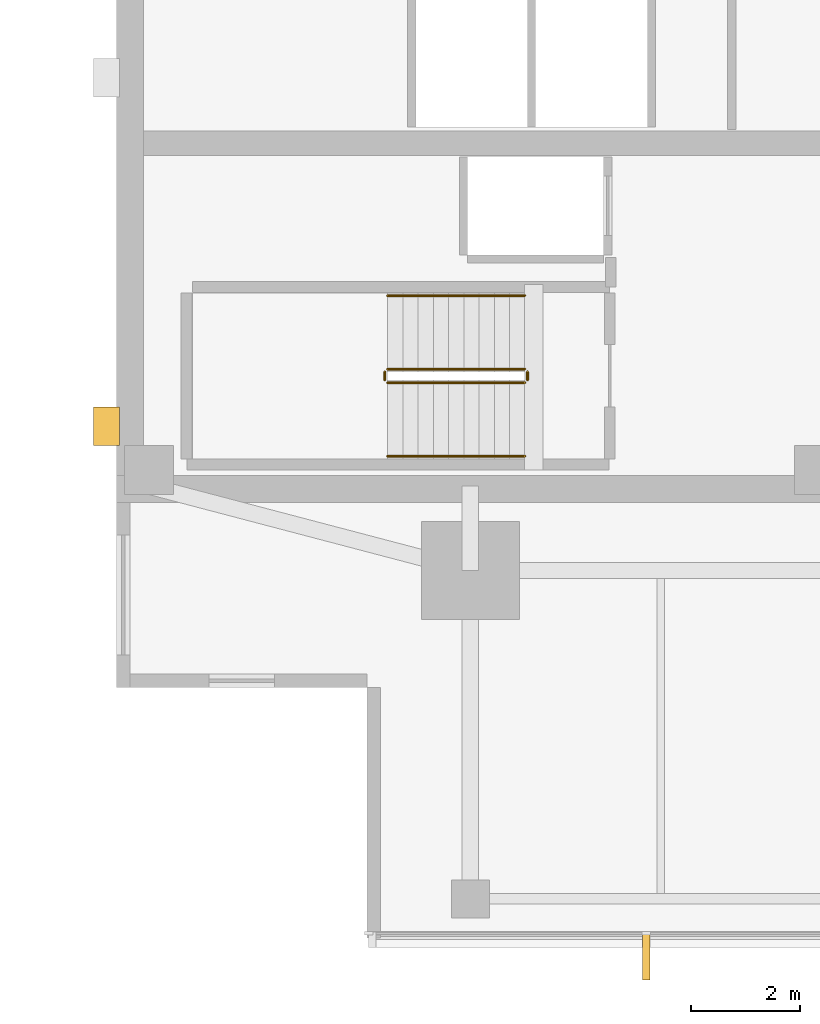
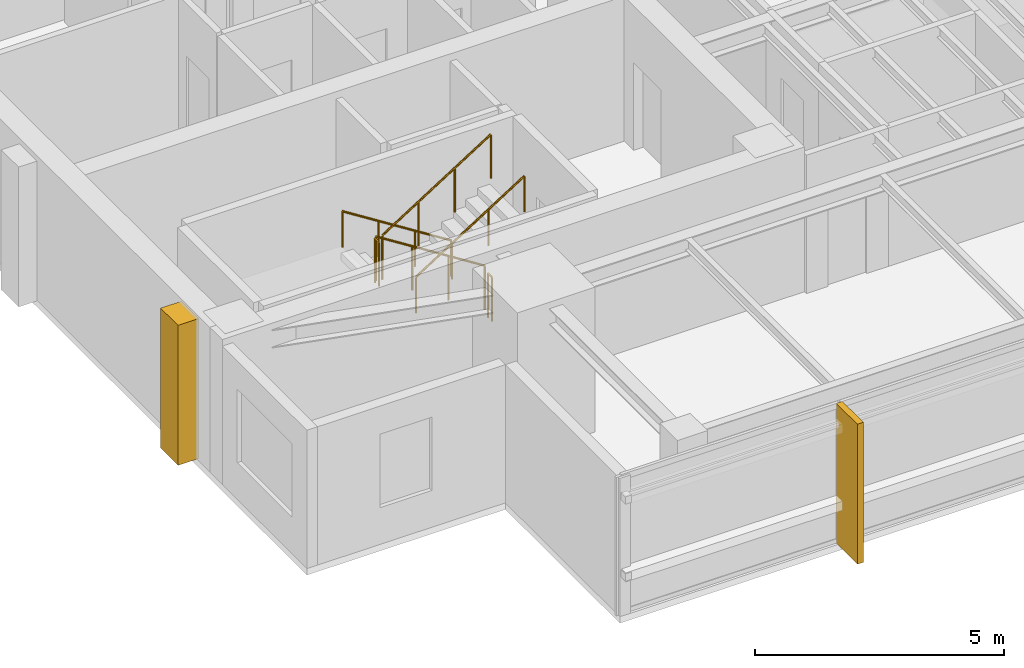
# One storey, part 11 of 14: 6 railings, 2 coverings.
"""IFC4 building model written with IfcOpenShell, lengths in metres."""

from ifc_helpers import new_model, si_unit, direction, frame, origin, origin_2d, place, context, subcontext, project, spatial, polyline, circle, outline, extrude, material, layer, layer_set, type_object, element, save


model = new_model("IFC4")

# Units and contexts
model_context = context("Model", 3, precision=1e-05, world=origin(), true_north=direction((0.0, 1.0)))
body_context = subcontext(model_context, "Body", "Model", "MODEL_VIEW")
ifc_project = project(units=[si_unit("LENGTHUNIT", "METRE"), si_unit("AREAUNIT", "SQUARE_METRE"), si_unit("VOLUMEUNIT", "CUBIC_METRE"), si_unit("PLANEANGLEUNIT", "RADIAN"), si_unit("MASSUNIT", "GRAM", prefix="KILO")], contexts=[model_context])

# Site, building, storey
site_placement = place(None, origin())
site = spatial("IfcSite", under=ifc_project, at=site_placement, CompositionType="ELEMENT")
building_placement = place(site_placement, origin())
building = spatial("IfcBuilding", under=site, at=building_placement, Name="Kinhvarn Gate Tower", CompositionType="ELEMENT")
storey_placement = place(building_placement, frame((0.0, 0.0, 267.0)))
storey = spatial("IfcBuildingStorey", under=building, at=storey_placement, Name="L71", CompositionType="ELEMENT", Elevation=267.0)

# Coverings
ifc_material_1 = material(Name="Fired architectural terracotta", Category="masonry")
ifc_layer_1 = layer(ifc_material_1, 0.139892578125)
ifc_layer_set_1 = layer_set([ifc_layer_1], Name="Fired architectural terracotta")
covering_type_1 = type_object("IfcCoveringType", Name="COV-FIN-850", PredefinedType="CLADDING", material=ifc_layer_set_1)
covering_1_placement = place(storey_placement, frame((0.0, 0.0, -0.02001953125)))
element("IfcCovering", 1, at=covering_1_placement, inside=storey, type_object=covering_type_1, Name="Vertical Terracotta Expressive Fin TFN-850 (L71)", PredefinedType="CLADDING", context=body_context, shape_type="SweptSolid", body=[
    extrude(outline(polyline([(14.163330078125, 6.080078125), (14.30322265625, 6.080078125), (14.30322265625, 5.22998046875), (14.163330078125, 5.22998046875), (14.163330078125, 6.080078125)])), origin(), (0.0, 0.0, 1.0), 3.429931640625),
])
ifc_material_2 = material(Name="Precast white architectural concrete C40/50", Category="concrete")
ifc_layer_2 = layer(ifc_material_2, 0.47998046875)
ifc_layer_set_2 = layer_set([ifc_layer_2], Name="Precast white architectural concrete C40/50")
covering_type_2 = type_object("IfcCoveringType", Name="COV-RIB-450", PredefinedType="CLADDING", material=ifc_layer_set_2)
covering_2_placement = place(storey_placement, frame((0.0, 0.0, -0.02001953125)))
element("IfcCovering", 2, at=covering_2_placement, inside=storey, type_object=covering_type_2, Name="West Core Sculptural Concrete Relief Rib CRB-450 (L71)", PredefinedType="CLADDING", context=body_context, shape_type="SweptSolid", body=[
    extrude(outline(polyline([(4.080078125, 15.050048828125), (4.56005859375, 15.050048828125), (4.56005859375, 15.75), (4.080078125, 15.75), (4.080078125, 15.050048828125)])), origin(), (0.0, 0.0, 1.0), 3.429931640625),
])

# Railings
ifc_material_3 = material(Name="Steel S355", Category="steel")
railing_type_1 = type_object("IfcRailingType", Name="RL-ST-GRD", PredefinedType="BALUSTRADE", material=ifc_material_3)
railing_1_placement = place(storey_placement, frame((12.0, 16.449951171875, 0.177490234375)))
element("IfcRailing", 3, at=railing_1_placement, inside=storey, type_object=railing_type_1, Name="L71 ST1 stair guard 1", PredefinedType="BALUSTRADE", context=body_context, shape_type="SweptSolid", body=[
    extrude(circle(Radius=0.02392578125, at=origin_2d()), frame((0.0, 0.0, 1.076171875), z_axis=(-0.84460694969, 0.0, 0.535386869969), x_axis=(0.0, -1.0, 0.0)), (0.0, 0.0, 1.0), 2.983642578125),
    extrude(circle(Radius=0.02099609375, at=origin_2d()), origin(), (0.0, 0.0, 1.0), 1.052001953125),
    extrude(circle(Radius=0.02099609375, at=origin_2d()), frame((-0.840087890625, 0.0, 0.532470703125)), (0.0, 0.0, 1.0), 1.052001953125),
    extrude(circle(Radius=0.02099609375, at=origin_2d()), frame((-1.679931640625, 0.0, 1.06494140625)), (0.0, 0.0, 1.0), 1.052001953125),
    extrude(circle(Radius=0.02099609375, at=origin_2d()), frame((-2.52001953125, 0.0, 1.597412109375)), (0.0, 0.0, 1.0), 1.052001953125),
])
railing_2_placement = place(storey_placement, frame((9.429931640625, 16.39990234375, 1.77490234375)))
element("IfcRailing", 4, at=railing_2_placement, inside=storey, type_object=railing_type_1, Name="L71 ST1 stair guard 2", PredefinedType="BALUSTRADE", context=body_context, shape_type="SweptSolid", body=[
    extrude(circle(Radius=0.02392578125, at=origin_2d()), frame((0.0, 0.0, 1.076171875), z_axis=(0.0, -1.0, 0.0), x_axis=(1.0, 0.0, 0.0)), (0.0, 0.0, 1.0), 0.14990234375),
    extrude(circle(Radius=0.02099609375, at=origin_2d()), origin(), (0.0, 0.0, 1.0), 1.052001953125),
    extrude(circle(Radius=0.02099609375, at=origin_2d()), frame((0.0, -0.14990234375, 0.0)), (0.0, 0.0, 1.0), 1.052001953125),
])
railing_3_placement = place(storey_placement, frame((9.47998046875, 16.199951171875, 1.952392578125)))
element("IfcRailing", 5, at=railing_3_placement, inside=storey, type_object=railing_type_1, Name="L71 ST1 stair guard 3", PredefinedType="BALUSTRADE", context=body_context, shape_type="SweptSolid", body=[
    extrude(circle(Radius=0.02392578125, at=origin_2d()), frame((0.0, 0.0, 1.076171875), z_axis=(0.84456994832, 0.0, 0.535445237532), x_axis=(0.0, 1.0, 0.0)), (0.0, 0.0, 1.0), 2.98388671875),
    extrude(circle(Radius=0.02099609375, at=origin_2d()), origin(), (0.0, 0.0, 1.0), 1.052001953125),
    extrude(circle(Radius=0.02099609375, at=origin_2d()), frame((0.840087890625, 0.0, 0.532470703125)), (0.0, 0.0, 1.0), 1.052001953125),
    extrude(circle(Radius=0.02099609375, at=origin_2d()), frame((1.679931640625, 0.0, 1.065185546875)), (0.0, 0.0, 1.0), 1.052001953125),
    extrude(circle(Radius=0.02099609375, at=origin_2d()), frame((2.52001953125, 0.0, 1.59765625)), (0.0, 0.0, 1.0), 1.052001953125),
])
railing_4_placement = place(storey_placement, frame((12.050048828125, 16.39990234375, 0.0)))
element("IfcRailing", 6, at=railing_4_placement, inside=storey, type_object=railing_type_1, Name="L71 ST1 stair guard 4", PredefinedType="BALUSTRADE", context=body_context, shape_type="SweptSolid", body=[
    extrude(circle(Radius=0.02392578125, at=origin_2d()), frame((0.0, 0.0, 1.076171875), z_axis=(0.0, -1.0, 0.0), x_axis=(1.0, 0.0, 0.0)), (0.0, 0.0, 1.0), 0.14990234375),
    extrude(circle(Radius=0.02099609375, at=origin_2d()), origin(), (0.0, 0.0, 1.0), 1.052001953125),
    extrude(circle(Radius=0.02099609375, at=origin_2d()), frame((0.0, -0.14990234375, 0.0)), (0.0, 0.0, 1.0), 1.052001953125),
])
railing_type_2 = type_object("IfcRailingType", Name="RL-ST-HND", PredefinedType="HANDRAIL", material=ifc_material_3)
railing_5_placement = place(storey_placement, frame((12.0, 17.800048828125, 0.177490234375)))
element("IfcRailing", 7, at=railing_5_placement, inside=storey, type_object=railing_type_2, Name="L71 ST1 stair handrail 1", PredefinedType="HANDRAIL", context=body_context, shape_type="SweptSolid", body=[
    extrude(circle(Radius=0.02392578125, at=origin_2d()), frame((0.0, 0.0, 0.8759765625), z_axis=(-0.84460694969, 0.0, 0.535386869969), x_axis=(0.0, -1.0, 0.0)), (0.0, 0.0, 1.0), 2.983642578125),
    extrude(circle(Radius=0.02099609375, at=origin_2d()), origin(), (0.0, 0.0, 1.0), 0.851806640625),
    extrude(circle(Radius=0.02099609375, at=origin_2d()), frame((-0.840087890625, 0.0, 0.532470703125)), (0.0, 0.0, 1.0), 0.851806640625),
    extrude(circle(Radius=0.02099609375, at=origin_2d()), frame((-1.679931640625, 0.0, 1.06494140625)), (0.0, 0.0, 1.0), 0.851806640625),
    extrude(circle(Radius=0.02099609375, at=origin_2d()), frame((-2.52001953125, 0.0, 1.597412109375)), (0.0, 0.0, 1.0), 0.851806640625),
])
railing_6_placement = place(storey_placement, frame((9.47998046875, 14.85009765625, 1.952392578125)))
element("IfcRailing", 8, at=railing_6_placement, inside=storey, type_object=railing_type_2, Name="L71 ST1 stair handrail 2", PredefinedType="HANDRAIL", context=body_context, shape_type="SweptSolid", body=[
    extrude(circle(Radius=0.02392578125, at=origin_2d()), frame((0.0, 0.0, 0.8759765625), z_axis=(0.84456994832, 0.0, 0.535445237532), x_axis=(0.0, 1.0, 0.0)), (0.0, 0.0, 1.0), 2.98388671875),
    extrude(circle(Radius=0.02099609375, at=origin_2d()), origin(), (0.0, 0.0, 1.0), 0.851806640625),
    extrude(circle(Radius=0.02099609375, at=origin_2d()), frame((0.840087890625, 0.0, 0.532470703125)), (0.0, 0.0, 1.0), 0.851806640625),
    extrude(circle(Radius=0.02099609375, at=origin_2d()), frame((1.679931640625, 0.0, 1.065185546875)), (0.0, 0.0, 1.0), 0.851806640625),
    extrude(circle(Radius=0.02099609375, at=origin_2d()), frame((2.52001953125, 0.0, 1.59765625)), (0.0, 0.0, 1.0), 0.851806640625),
])

save(model, "model.ifc")
